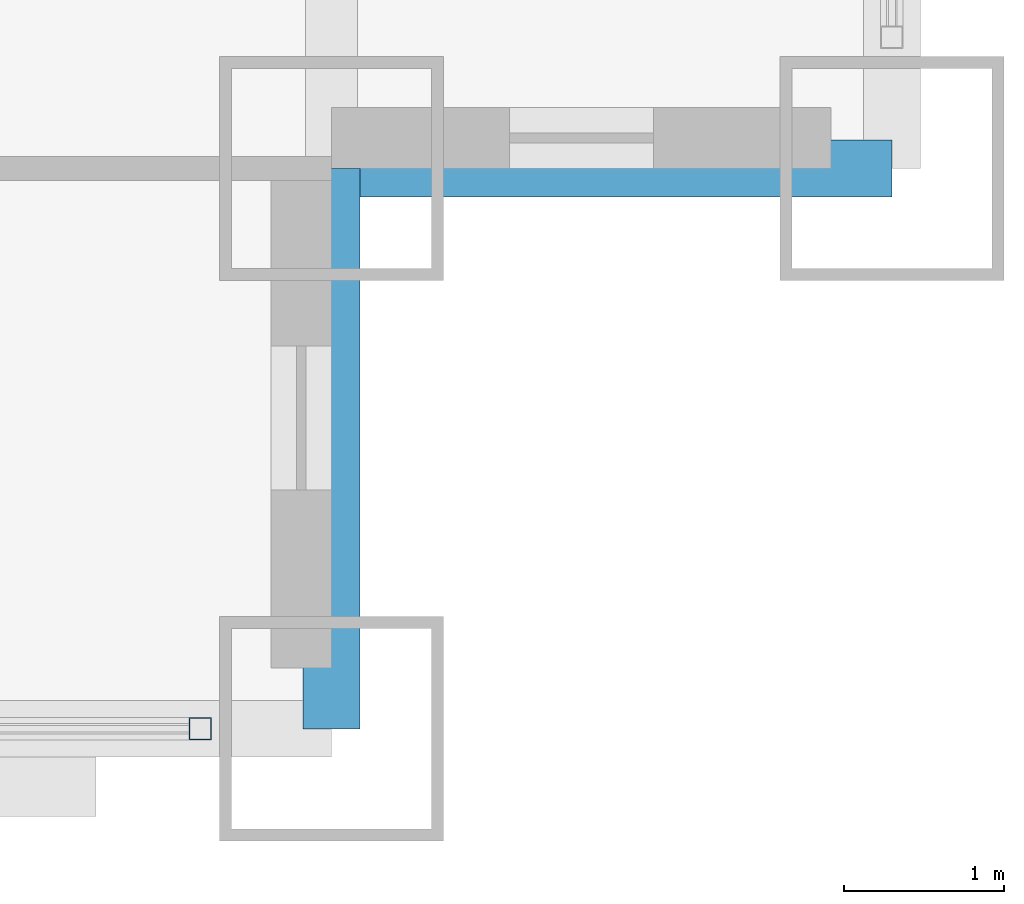
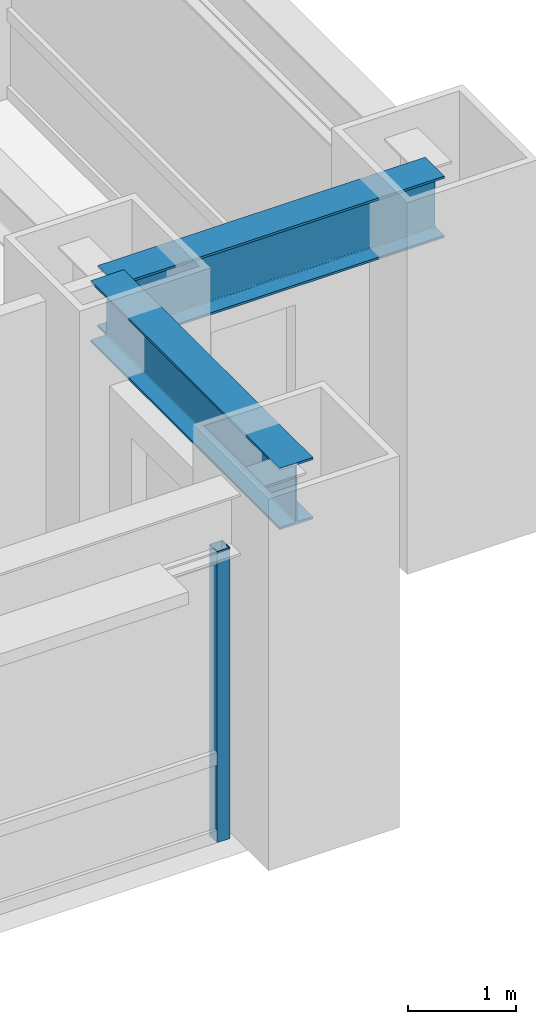
# One storey, part 10 of 31: 2 beams, 1 member, 1 element without a shape of its own.
"""IFC4 building model written with IfcOpenShell, lengths in metres."""

from ifc_helpers import new_model, si_unit, direction, frame, origin, origin_2d, place, context, subcontext, project, spatial, hollow_rectangle, i_section, extrude, source, transform, mapped, material, material_profile, profile_set, type_object, element, aggregate, save


model = new_model("IFC4")

# Units and contexts
model_context = context("Model", 3, precision=1e-05, world=origin(), true_north=direction((0.0, 1.0)))
body_context = subcontext(model_context, "Body", "Model", "MODEL_VIEW")
ifc_project = project(units=[si_unit("LENGTHUNIT", "METRE"), si_unit("AREAUNIT", "SQUARE_METRE"), si_unit("VOLUMEUNIT", "CUBIC_METRE"), si_unit("PLANEANGLEUNIT", "RADIAN"), si_unit("MASSUNIT", "GRAM", prefix="KILO")], contexts=[model_context])

# Site, building, storey
site_placement = place(None, origin())
site = spatial("IfcSite", under=ifc_project, at=site_placement, CompositionType="ELEMENT")
building_placement = place(site_placement, origin())
building = spatial("IfcBuilding", under=site, at=building_placement, Name="Khorayat Bourse Tower", CompositionType="ELEMENT")
storey_placement = place(building_placement, frame((0.0, 0.0, 36.800048828125)))
storey = spatial("IfcBuildingStorey", under=building, at=storey_placement, Name="L07", CompositionType="ELEMENT", Elevation=36.800048828125)

# Beams
ifc_material_1 = material(Name="Steel ASTM A992 Grade 50", Category="steel")
ifc_material_profile_1 = material_profile(ifc_material_1, i_section(OverallWidth=0.35498046875, OverallDepth=0.695068359375, WebThickness=0.015380859375, FlangeThickness=0.02490234375, FilletRadius=0.01806640625, at=origin_2d()), Name="W690X217")
ifc_profile_set_1 = profile_set([ifc_material_profile_1], Name="Steel ASTM A992 Grade 50")
beam_type = type_object("IfcBeamType", Name="BM-SPAN-690", PredefinedType="SPANDREL", material=ifc_profile_set_1)
shared_shape_1 = source(origin(), body_context, "Body", "SweptSolid", [
    extrude(i_section(OverallWidth=0.35498046875, OverallDepth=0.695068359375, WebThickness=0.015380859375, FlangeThickness=0.02490234375, FilletRadius=0.01806640625, at=origin_2d()), origin(), (0.0, 0.0, 1.0), 3.5),
])
for number, where, z_axis, x_axis, name in (
    (1, (28.5, -32.0, 3.592529296875), (0.0, 1.0, 0.0), (-1.0, 0.0, 0.0), "L07 BM-SPAN-690 BM-L07-SPN-032"),
    (2, (28.5, -28.5, 3.592529296875), (1.0, 0.0, 0.0), (0.0, 1.0, 0.0), "L07 BM-SPAN-690 BM-L07-SPN-033"),
):
    element("IfcBeam", number, at=place(storey_placement, frame(where, z_axis=z_axis, x_axis=x_axis)), inside=storey, type_object=beam_type, Name=name, PredefinedType="SPANDREL", context=body_context, shape_type="MappedRepresentation", body=[
        mapped(shared_shape_1, transform((0.0, 0.0, 0.0), scale=1.0)),
    ])

# Curtain wall, member
ifc_material_2 = material(Name="Aluminium EN AW-6063 T6", Category="aluminium")
curtain_wall_type = type_object("IfcCurtainWallType", Name="CW-SYS-02", PredefinedType="NOTDEFINED", material=ifc_material_2)
curtain_wall_placement = place(storey_placement, origin())
curtain_wall = element("IfcCurtainWall", 3, at=curtain_wall_placement, inside=storey, type_object=curtain_wall_type, Name="L07 Curtain Wall CW-L07-S1", PredefinedType="NOTDEFINED")
ifc_material_profile_2 = material_profile(ifc_material_2, hollow_rectangle(XDim=0.139892578125, YDim=0.139892578125, WallThickness=0.006103515625, at=origin_2d()), Name="ALU 140x140x6")
ifc_profile_set_2 = profile_set([ifc_material_profile_2], Name="Aluminium EN AW-6063 T6")
member_type = type_object("IfcMemberType", Name="CWM-VERT-140", PredefinedType="MULLION", material=ifc_profile_set_2)
shared_shape_2 = source(origin(), body_context, "Body", "SweptSolid", [
    extrude(hollow_rectangle(XDim=0.139892578125, YDim=0.139892578125, WallThickness=0.006103515625, at=origin_2d()), origin(), (0.0, 0.0, 1.0), 3.2900390625),
])
member_placement = place(storey_placement, frame((27.679931640625, -32.0, 0.0), z_axis=(0.0, 0.0, 1.0), x_axis=(0.0, 1.0, 0.0)))
member = element("IfcMember", 4, at=member_placement, type_object=member_type, Name="CW-L07-S1 Vertical Mullion 4", PredefinedType="MULLION", context=body_context, shape_type="MappedRepresentation", body=[
    mapped(shared_shape_2, transform((0.0, 0.0, 0.0), scale=1.0)),
])
aggregate(curtain_wall, [member])

save(model, "model.ifc")
